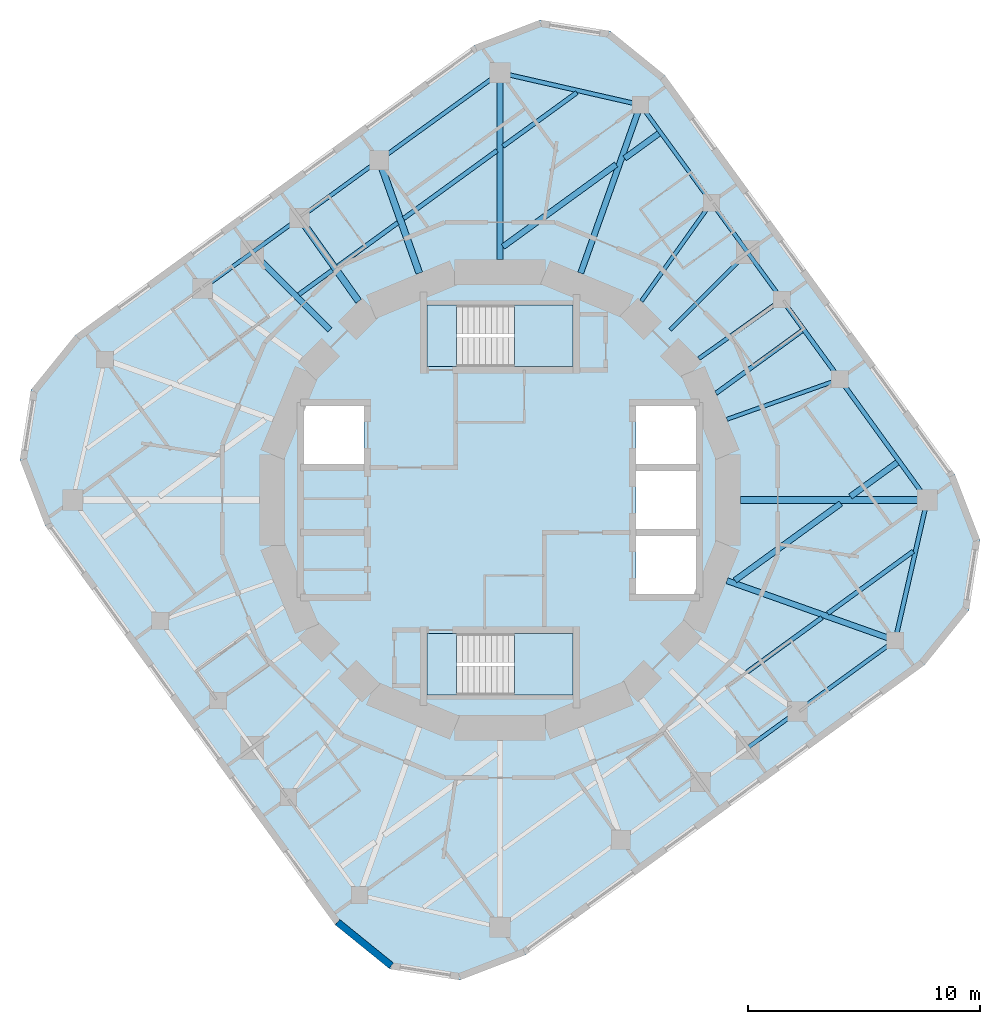
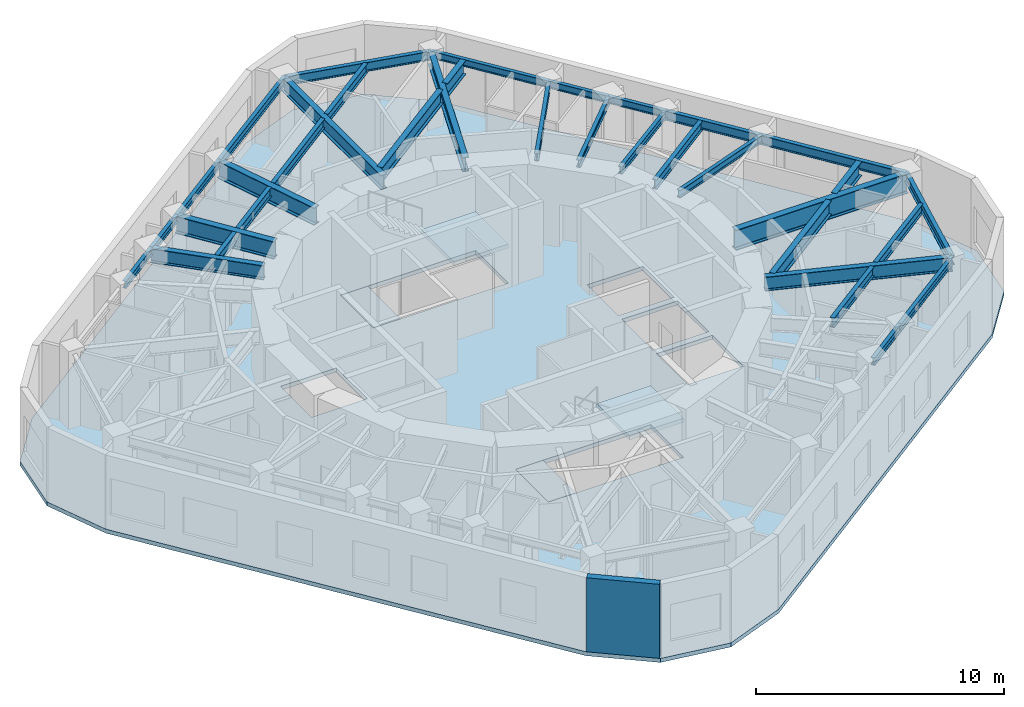
# One storey, part 2 of 9: 35 beams, 5 slabs, 1 wall, 2 elements without a shape of their own.
"""IFC4 building model written with IfcOpenShell, lengths in metres."""

import ifcopenshell
import ifcopenshell.guid

model = None  # the IFC model being written
_history = None  # IfcOwnerHistory: only IFC2X3 demands one
_inside = {}  # id of a spatial element -> (the spatial element, [elements in it])
_under = {}  # id of a project, library or spatial element -> (it, [spatial elements below it])
_declared = {}  # id of a project -> (the project, [libraries it declares])
_typed = {}  # id of a type object -> (the type object, [elements of that type])
_made_of = {}  # id of a material, layer set ... -> (it, [elements and type objects made of it])


def new_model(schema):
    """Start an empty IFC model of exactly this schema.

    Asked for "IFC4X3", IfcOpenShell would pick the latest addendum, in which some entities
    have other attributes; the version numbers below select the first issue.
    IFC2X3 requires an IfcOwnerHistory on every rooted entity: one is made here for all.
    """
    global model, _history
    if schema == "IFC4X3":
        model = ifcopenshell.file(schema_version=(4, 3, 0, 0))
    else:
        model = ifcopenshell.file(schema=schema)
    _inside.clear()
    _under.clear()
    _declared.clear()
    _typed.clear()
    _made_of.clear()
    _history = None
    if model.schema == "IFC2X3":
        org = make("IfcOrganization", Name="unknown")
        user = make(
            "IfcPersonAndOrganization",
            ThePerson=make("IfcPerson", FamilyName="unknown"),
            TheOrganization=org,
        )
        app = make(
            "IfcApplication",
            ApplicationDeveloper=org,
            Version="unknown",
            ApplicationFullName="unknown",
            ApplicationIdentifier="unknown",
        )
        _history = make(
            "IfcOwnerHistory",
            OwningUser=user,
            OwningApplication=app,
            ChangeAction="ADDED",
            CreationDate=0,
        )
    return model


def make(cls, **values):
    """One entity of the class cls with the attributes given. An attribute that is None is left unset."""
    return model.create_entity(
        cls, **{name: value for name, value in values.items() if value is not None}
    )


def rooted(cls, **values):
    """An entity with a GlobalId (a new one), such as an element, a storey or a relation."""
    return make(cls, GlobalId=ifcopenshell.guid.new(), OwnerHistory=_history, **values)


def si_unit(unit_type, name, prefix=None):
    """IfcSIUnit, for example si_unit("LENGTHUNIT", "METRE", prefix="MILLI")."""
    return make("IfcSIUnit", UnitType=unit_type, Prefix=prefix, Name=name)


def assignment(units):
    """IfcUnitAssignment: the units of a project."""
    return None if units is None else make("IfcUnitAssignment", Units=units)


def point(xyz):
    """IfcCartesianPoint."""
    return None if xyz is None else make("IfcCartesianPoint", Coordinates=xyz)


def direction(xyz):
    """IfcDirection."""
    return None if xyz is None else make("IfcDirection", DirectionRatios=xyz)


def frame(location, z_axis=None, x_axis=None):
    """IfcAxis2Placement3D, a coordinate frame: its origin and axes. An axis left out is left unset."""
    return make(
        "IfcAxis2Placement3D",
        Location=point(location),
        Axis=direction(z_axis),
        RefDirection=direction(x_axis),
    )


def frame_2d(location, x_axis=None):
    """IfcAxis2Placement2D, a coordinate frame in the plane: its origin and x axis."""
    return make(
        "IfcAxis2Placement2D", Location=point(location), RefDirection=direction(x_axis)
    )


def origin():
    """The frame at (0, 0, 0) with its axes left unset."""
    return frame((0.0, 0.0, 0.0))


def origin_2d():
    """The frame at (0, 0) in the plane with its x axis left unset."""
    return frame_2d((0.0, 0.0))


def place(relative_to, where):
    """IfcLocalPlacement: puts the frame where relative to a parent placement (None: the world)."""
    return make(
        "IfcLocalPlacement", PlacementRelTo=relative_to, RelativePlacement=where
    )


def context(
    kind, dimensions, precision=None, world=None, true_north=None, identifier=None
):
    """IfcGeometricRepresentationContext, for example the 3D "Model" context."""
    return make(
        "IfcGeometricRepresentationContext",
        ContextIdentifier=identifier,
        ContextType=kind,
        CoordinateSpaceDimension=dimensions,
        Precision=precision,
        WorldCoordinateSystem=world,
        TrueNorth=true_north,
    )


def subcontext(parent, identifier, kind, view, scale=None):
    """IfcGeometricRepresentationSubContext, for example "Body" below "Model"."""
    return make(
        "IfcGeometricRepresentationSubContext",
        ContextIdentifier=identifier,
        ContextType=kind,
        ParentContext=parent,
        TargetScale=scale,
        TargetView=view,
    )


def project(units=None, contexts=None):
    """IfcProject with its units and contexts."""
    return rooted(
        "IfcProject",
        Name="project",
        RepresentationContexts=contexts,
        UnitsInContext=assignment(units),
    )


def spatial(cls, under=None, at=None, **own):
    """A site, building, storey or space (cls), placed at a placement, below another one or the project."""
    s = rooted(cls, ObjectPlacement=at, **own)
    if under is not None:
        _under.setdefault(under.id(), (under, []))[1].append(s)
    return s


def polyline(points):
    """IfcPolyline through the points."""
    return make("IfcPolyline", Points=[point(p) for p in points])


def profile(cls, at=None, kind="AREA", **sizes):
    """A parametric profile (cls). Its sizes go by their IFC names, for example OverallWidth=200.0."""
    return make(cls, ProfileType=kind, Position=at, **sizes)


def rectangle(**sizes):
    """IfcRectangleProfileDef."""
    return profile("IfcRectangleProfileDef", **sizes)


def i_section(**sizes):
    """IfcIShapeProfileDef."""
    return profile("IfcIShapeProfileDef", **sizes)


def outline(outer, holes=None, kind="AREA"):
    """IfcArbitraryClosedProfileDef: a profile drawn as a closed curve; with holes, ...WithVoids."""
    if holes is None:
        return make("IfcArbitraryClosedProfileDef", ProfileType=kind, OuterCurve=outer)
    return make(
        "IfcArbitraryProfileDefWithVoids",
        ProfileType=kind,
        OuterCurve=outer,
        InnerCurves=holes,
    )


def extrude(swept, where, along, depth):
    """IfcExtrudedAreaSolid: the profile swept, set in the frame where, extruded along a direction by depth."""
    return make(
        "IfcExtrudedAreaSolid",
        SweptArea=swept,
        Position=where,
        ExtrudedDirection=direction(along),
        Depth=depth,
    )


def shape(context_of_items, identifier, shape_type, items):
    """IfcShapeRepresentation: the items that make up one representation, for example the "Body"."""
    return make(
        "IfcShapeRepresentation",
        ContextOfItems=context_of_items,
        RepresentationIdentifier=identifier,
        RepresentationType=shape_type,
        Items=items,
    )


def material(Name=None, Category=None):
    """IfcMaterial."""
    return make("IfcMaterial", Name=Name, Category=Category)


def layer(
    of_material, thickness, ventilated=None, Name=None, Category=None, Priority=None
):
    """IfcMaterialLayer: one layer of a wall or slab, of a material (None: an air gap)."""
    return make(
        "IfcMaterialLayer",
        Material=of_material,
        LayerThickness=thickness,
        IsVentilated=ventilated,
        Name=Name,
        Category=Category,
        Priority=Priority,
    )


def layer_set(layers, Name=None):
    """IfcMaterialLayerSet."""
    return make("IfcMaterialLayerSet", MaterialLayers=layers, LayerSetName=Name)


def material_profile(
    of_material, cross_section, Name=None, Category=None, Priority=None
):
    """IfcMaterialProfile: a cross section and its material."""
    return make(
        "IfcMaterialProfile",
        Name=Name,
        Material=of_material,
        Profile=cross_section,
        Priority=Priority,
        Category=Category,
    )


def profile_set(profiles, Name=None, composite=None):
    """IfcMaterialProfileSet."""
    return make(
        "IfcMaterialProfileSet",
        Name=Name,
        MaterialProfiles=profiles,
        CompositeProfile=composite,
    )


def made_of(thing, what):
    """Note that an element or type object is made of a material, layer set ...; save() writes the relation."""
    if what is not None:
        _made_of.setdefault(what.id(), (what, []))[1].append(thing)
    return thing


def type_object(cls, material=None, **own):
    """A type object (cls), such as IfcWallType, which elements share."""
    return made_of(rooted(cls, **own), material)


def element(
    cls,
    number,
    at=None,
    inside=None,
    cuts=None,
    type_object=None,
    material=None,
    context=None,
    identifier="Body",
    shape_type=None,
    held_by="IfcProductDefinitionShape",
    body=None,
    shapes=None,
    **own,
):
    """One element of the class cls, such as IfcWall. Its Tag is "e" and its number.

    at: its placement. inside: the storey or other place that contains it. cuts: it is an
    opening in that element (IfcRelVoidsElement). A single representation is given by context,
    identifier, shape_type and body (its items); several are given by shapes. held_by: the class
    of the entity that holds the representations. save() writes the other relations.
    """
    e = rooted(cls, Tag="e%d" % number, ObjectPlacement=at, **own)
    if body is not None:
        shapes = [shape(context, identifier, shape_type, body)]
    if shapes is not None:
        e.Representation = make(held_by, Representations=shapes)
    if inside is not None:
        _inside.setdefault(inside.id(), (inside, []))[1].append(e)
    if cuts is not None:
        rooted(
            "IfcRelVoidsElement", RelatingBuildingElement=cuts, RelatedOpeningElement=e
        )
    if type_object is not None:
        _typed.setdefault(type_object.id(), (type_object, []))[1].append(e)
    return made_of(e, material)


def aggregate(whole, parts):
    """IfcRelAggregates: a whole, such as a stair, and the parts it consists of."""
    return rooted("IfcRelAggregates", RelatingObject=whole, RelatedObjects=parts)


def save(model, path):
    """Write the relations noted so far, then the file.

    IfcRelAggregates (storeys below a building ...), IfcRelContainedInSpatialStructure (elements
    in a storey), IfcRelDefinesByType, IfcRelAssociatesMaterial and IfcRelDeclares: one each for
    every whole, place, type object, material and project.
    """
    for whole, parts in _under.values():
        aggregate(whole, parts)
    for where, things in _inside.values():
        rooted(
            "IfcRelContainedInSpatialStructure",
            RelatedElements=things,
            RelatingStructure=where,
        )
    for kind, things in _typed.values():
        rooted("IfcRelDefinesByType", RelatedObjects=things, RelatingType=kind)
    for what, things in _made_of.values():
        rooted("IfcRelAssociatesMaterial", RelatedObjects=things, RelatingMaterial=what)
    for by, libraries in _declared.values():
        rooted("IfcRelDeclares", RelatingContext=by, RelatedDefinitions=libraries)
    model.write(path)


model = new_model("IFC4")

# Units and contexts
model_context = context("Model", 3, precision=1e-05, world=origin(), true_north=direction((0.0, 1.0)))
body_context = subcontext(model_context, "Body", "Model", "MODEL_VIEW")
ifc_project = project(units=[si_unit("LENGTHUNIT", "METRE"), si_unit("AREAUNIT", "SQUARE_METRE"), si_unit("VOLUMEUNIT", "CUBIC_METRE"), si_unit("PLANEANGLEUNIT", "RADIAN"), si_unit("MASSUNIT", "GRAM", prefix="KILO")], contexts=[model_context])

# Site, building, storey
site_placement = place(None, origin())
site = spatial("IfcSite", under=ifc_project, at=site_placement, CompositionType="ELEMENT")
building_placement = place(site_placement, origin())
building = spatial("IfcBuilding", under=site, at=building_placement, Name="Nakasero Lantern House", CompositionType="ELEMENT")
storey_placement = place(building_placement, frame((0.0, 0.0, 286.85009765625)))
storey = spatial("IfcBuildingStorey", under=building, at=storey_placement, Name="L70", CompositionType="ELEMENT", Elevation=286.85009765625)

# Beams
ifc_material_1 = material(Name="Steel S355", Category="steel")
ifc_material_profile_1 = material_profile(ifc_material_1, i_section(OverallWidth=0.19140625, OverallDepth=0.4599609375, WebThickness=0.010009765625, FlangeThickness=0.01611328125, FilletRadius=0.01025390625, at=origin_2d()), Name="UB 457x191x82")
ifc_profile_set_1 = profile_set([ifc_material_profile_1], Name="Steel S355")
beam_type_1 = type_object("IfcBeamType", Name="Infill beam UB 457x191x82", PredefinedType="JOIST", material=ifc_profile_set_1)
beam_1_placement = place(storey_placement, frame((10.6416015625, -7.410400390625, 3.419921875), z_axis=(0.809000670398, 0.587807719663, 0.0), x_axis=(-0.587807719663, 0.809000670398, 0.0)))
element("IfcBeam", 1, at=beam_1_placement, inside=storey, type_object=beam_type_1, Name="Infill beam L71 03.6", PredefinedType="JOIST", context=body_context, shape_type="SweptSolid", body=[
    extrude(i_section(OverallWidth=0.19140625, OverallDepth=0.4599609375, WebThickness=0.010009765625, FlangeThickness=0.01611328125, FilletRadius=0.01025390625, at=origin_2d()), origin(), (0.0, 0.0, 1.0), 3.989013671875),
])
beam_2_placement = place(storey_placement, frame((14.117431640625, -4.885009765625, 3.419921875), z_axis=(0.80901210161, 0.587791986546, 0.0), x_axis=(-0.587791986546, 0.80901210161, 0.0)))
element("IfcBeam", 2, at=beam_2_placement, inside=storey, type_object=beam_type_1, Name="Infill beam L71 03.7", PredefinedType="JOIST", context=body_context, shape_type="SweptSolid", body=[
    extrude(i_section(OverallWidth=0.19140625, OverallDepth=0.4599609375, WebThickness=0.010009765625, FlangeThickness=0.01611328125, FilletRadius=0.01025390625, at=origin_2d()), origin(), (0.0, 0.0, 1.0), 4.55029296875),
])
beam_3_placement = place(storey_placement, frame((9.306396484375, 4.598388671875, 3.419921875), z_axis=(0.809017640959, 0.587784362344, 0.0), x_axis=(-0.587784362344, 0.809017640959, 0.0)))
element("IfcBeam", 3, at=beam_3_placement, inside=storey, type_object=beam_type_1, Name="Infill beam L71 06.1", PredefinedType="JOIST", context=body_context, shape_type="SweptSolid", body=[
    extrude(i_section(OverallWidth=0.19140625, OverallDepth=0.4599609375, WebThickness=0.010009765625, FlangeThickness=0.01611328125, FilletRadius=0.01025390625, at=origin_2d()), origin(), (0.0, 0.0, 1.0), 4.572998046875),
])
beam_4_placement = place(storey_placement, frame((-8.665283203125, 8.84619140625, 3.419921875), z_axis=(0.809060510352, 0.587725353025, 0.0), x_axis=(-0.587725353025, 0.809060510352, 0.0)))
element("IfcBeam", 4, at=beam_4_placement, inside=storey, type_object=beam_type_1, Name="Infill beam L71 10.4", PredefinedType="JOIST", context=body_context, shape_type="SweptSolid", body=[
    extrude(i_section(OverallWidth=0.19140625, OverallDepth=0.4599609375, WebThickness=0.010009765625, FlangeThickness=0.01611328125, FilletRadius=0.01025390625, at=origin_2d()), origin(), (0.0, 0.0, 1.0), 1.7890625),
])
beam_5_placement = place(storey_placement, frame((-6.981201171875, 10.069580078125, 3.419921875), z_axis=(0.809014147131, 0.587789171167, 0.0), x_axis=(-0.587789171167, 0.809014147131, 0.0)))
element("IfcBeam", 5, at=beam_5_placement, inside=storey, type_object=beam_type_1, Name="Infill beam L71 10.5", PredefinedType="JOIST", context=body_context, shape_type="SweptSolid", body=[
    extrude(i_section(OverallWidth=0.19140625, OverallDepth=0.4599609375, WebThickness=0.010009765625, FlangeThickness=0.01611328125, FilletRadius=0.01025390625, at=origin_2d()), origin(), (0.0, 0.0, 1.0), 3.188232421875),
])
beam_6_placement = place(storey_placement, frame((-4.1552734375, 12.122802734375, 3.419921875), z_axis=(0.809018056479, 0.587783790428, 0.0), x_axis=(-0.587783790428, 0.809018056479, 0.0)))
element("IfcBeam", 6, at=beam_6_placement, inside=storey, type_object=beam_type_1, Name="Infill beam L71 10.6", PredefinedType="JOIST", context=body_context, shape_type="SweptSolid", body=[
    extrude(i_section(OverallWidth=0.19140625, OverallDepth=0.4599609375, WebThickness=0.010009765625, FlangeThickness=0.01611328125, FilletRadius=0.01025390625, at=origin_2d()), origin(), (0.0, 0.0, 1.0), 4.97802734375),
])
beam_7_placement = place(storey_placement, frame((0.1279296875, 15.23486328125, 3.419921875), z_axis=(0.809028442836, 0.587769494515, 0.0), x_axis=(-0.587769494515, 0.809028442836, 0.0)))
element("IfcBeam", 7, at=beam_7_placement, inside=storey, type_object=beam_type_1, Name="Infill beam L71 10.7", PredefinedType="JOIST", context=body_context, shape_type="SweptSolid", body=[
    extrude(i_section(OverallWidth=0.19140625, OverallDepth=0.4599609375, WebThickness=0.010009765625, FlangeThickness=0.01611328125, FilletRadius=0.01025390625, at=origin_2d()), origin(), (0.0, 0.0, 1.0), 3.934814453125),
])
ifc_material_2 = material(Name="Steel S355", Category="steel")
ifc_material_profile_2 = material_profile(ifc_material_2, i_section(OverallWidth=0.255859375, OverallDepth=0.69287109375, WebThickness=0.014404296875, FlangeThickness=0.023681640625, FilletRadius=0.01513671875, at=origin_2d()), Name="UB 686x254x170")
ifc_profile_set_2 = profile_set([ifc_material_profile_2], Name="Steel S355")
beam_type_2 = type_object("IfcBeamType", Name="Infill beam UB 686x254x170", PredefinedType="JOIST", material=ifc_profile_set_2)
beam_8_placement = place(storey_placement, frame((10.119384765625, -3.46337890625, 3.303466796875), z_axis=(0.809013172462, 0.587790512669, 0.0), x_axis=(-0.587790512669, 0.809013172462, 0.0)))
element("IfcBeam", 8, at=beam_8_placement, inside=storey, type_object=beam_type_2, Name="Infill beam L71 04.3", PredefinedType="JOIST", context=body_context, shape_type="SweptSolid", body=[
    extrude(i_section(OverallWidth=0.255859375, OverallDepth=0.69287109375, WebThickness=0.014404296875, FlangeThickness=0.023681640625, FilletRadius=0.01513671875, at=origin_2d()), origin(), (0.0, 0.0, 1.0), 5.63720703125),
])
beam_9_placement = place(storey_placement, frame((15.0927734375, 0.14990234375, 3.303466796875), z_axis=(0.809015124384, 0.587787826106, 0.0), x_axis=(-0.587787826106, 0.809015124384, 0.0)))
element("IfcBeam", 9, at=beam_9_placement, inside=storey, type_object=beam_type_2, Name="Infill beam L71 04.4", PredefinedType="JOIST", context=body_context, shape_type="SweptSolid", body=[
    extrude(i_section(OverallWidth=0.255859375, OverallDepth=0.69287109375, WebThickness=0.014404296875, FlangeThickness=0.023681640625, FilletRadius=0.01513671875, at=origin_2d()), origin(), (0.0, 0.0, 1.0), 2.496337890625),
])
beam_10_placement = place(storey_placement, frame((0.1279296875, 10.908447265625, 3.303466796875), z_axis=(0.809011117524, 0.587793340998, 0.0), x_axis=(-0.587793340998, 0.809011117524, 0.0)))
element("IfcBeam", 10, at=beam_10_placement, inside=storey, type_object=beam_type_2, Name="Infill beam L71 09.3", PredefinedType="JOIST", context=body_context, shape_type="SweptSolid", body=[
    extrude(i_section(OverallWidth=0.255859375, OverallDepth=0.69287109375, WebThickness=0.014404296875, FlangeThickness=0.023681640625, FilletRadius=0.01513671875, at=origin_2d()), origin(), (0.0, 0.0, 1.0), 6.024658203125),
])
beam_11_placement = place(storey_placement, frame((5.367919921875, 14.715576171875, 3.303466796875), z_axis=(0.809025740158, 0.587773214566, 0.0), x_axis=(-0.587773214566, 0.809025740158, 0.0)))
element("IfcBeam", 11, at=beam_11_placement, inside=storey, type_object=beam_type_2, Name="Infill beam L71 09.4", PredefinedType="JOIST", context=body_context, shape_type="SweptSolid", body=[
    extrude(i_section(OverallWidth=0.255859375, OverallDepth=0.69287109375, WebThickness=0.014404296875, FlangeThickness=0.023681640625, FilletRadius=0.01513671875, at=origin_2d()), origin(), (0.0, 0.0, 1.0), 1.82177734375),
])
ifc_material_3 = material(Name="Steel S355", Category="steel")
ifc_material_profile_3 = material_profile(ifc_material_3, i_section(OverallWidth=0.300048828125, OverallDepth=0.97998046875, WebThickness=0.0166015625, FlangeThickness=0.02587890625, FilletRadius=0.030029296875, at=origin_2d()), Name="UB 1016x305x249")
ifc_profile_set_3 = profile_set([ifc_material_profile_3], Name="Steel S355")
beam_type_3 = type_object("IfcBeamType", Name="Primary beam UB 1016x305x249, span 6 to 9 m", PredefinedType="BEAM", material=ifc_profile_set_3)
beam_12_placement = place(storey_placement, frame((18.39990234375, 0.0, 3.159912109375), z_axis=(-1.0, 0.0, 0.0), x_axis=(0.0, -1.0, 0.0)))
element("IfcBeam", 12, at=beam_12_placement, inside=storey, type_object=beam_type_3, Name="Primary beam L71 B7-C03", PredefinedType="BEAM", context=body_context, shape_type="SweptSolid", body=[
    extrude(i_section(OverallWidth=0.300048828125, OverallDepth=0.97998046875, WebThickness=0.0166015625, FlangeThickness=0.02587890625, FilletRadius=0.030029296875, at=origin_2d()), origin(), (0.0, 0.0, 1.0), 8.0419921875),
])
ifc_material_4 = material(Name="Steel S355", Category="steel")
ifc_material_profile_4 = material_profile(ifc_material_4, i_section(OverallWidth=0.17138671875, OverallDepth=0.35498046875, WebThickness=0.00732421875, FlangeThickness=0.011474609375, FilletRadius=0.01025390625, at=origin_2d()), Name="UB 356x171x51")
ifc_profile_set_4 = profile_set([ifc_material_profile_4], Name="Steel S355")
beam_type_4 = type_object("IfcBeamType", Name="Primary beam UB 356x171x51, span to 6 m", PredefinedType="BEAM", material=ifc_profile_set_4)
beam_13_placement = place(storey_placement, frame((14.636474609375, 5.2041015625, 3.472412109375), z_axis=(-0.942221324153, -0.3349910093, 0.0), x_axis=(0.3349910093, -0.942221324153, 0.0)))
element("IfcBeam", 13, at=beam_13_placement, inside=storey, type_object=beam_type_4, Name="Primary beam L71 B7-C04", PredefinedType="BEAM", context=body_context, shape_type="SweptSolid", body=[
    extrude(i_section(OverallWidth=0.17138671875, OverallDepth=0.35498046875, WebThickness=0.00732421875, FlangeThickness=0.011474609375, FilletRadius=0.01025390625, at=origin_2d()), origin(), (0.0, 0.0, 1.0), 5.162841796875),
])
beam_14_placement = place(storey_placement, frame((12.1435546875, 8.63525390625, 3.472412109375), z_axis=(-0.814988544116, -0.579477068537, 0.0), x_axis=(0.579477068537, -0.814988544116, 0.0)))
element("IfcBeam", 14, at=beam_14_placement, inside=storey, type_object=beam_type_4, Name="Primary beam L71 B7-C05", PredefinedType="BEAM", context=body_context, shape_type="SweptSolid", body=[
    extrude(i_section(OverallWidth=0.17138671875, OverallDepth=0.35498046875, WebThickness=0.00732421875, FlangeThickness=0.011474609375, FilletRadius=0.01025390625, at=origin_2d()), origin(), (0.0, 0.0, 1.0), 4.396484375),
])
beam_15_placement = place(storey_placement, frame((10.667236328125, 10.667236328125, 3.472412109375), z_axis=(-0.707106781187, -0.707106781187, 0.0), x_axis=(0.707106781187, -0.707106781187, 0.0)))
element("IfcBeam", 15, at=beam_15_placement, inside=storey, type_object=beam_type_4, Name="Primary beam L71 B7-C06", PredefinedType="BEAM", context=body_context, shape_type="SweptSolid", body=[
    extrude(i_section(OverallWidth=0.17138671875, OverallDepth=0.35498046875, WebThickness=0.00732421875, FlangeThickness=0.011474609375, FilletRadius=0.01025390625, at=origin_2d()), origin(), (0.0, 0.0, 1.0), 4.727783203125),
])
beam_16_placement = place(storey_placement, frame((9.10986328125, 12.810791015625, 3.472412109375), z_axis=(-0.579500985986, -0.814971537688, 0.0), x_axis=(0.814971537688, -0.579500985986, 0.0)))
element("IfcBeam", 16, at=beam_16_placement, inside=storey, type_object=beam_type_4, Name="Primary beam L71 B7-C07", PredefinedType="BEAM", context=body_context, shape_type="SweptSolid", body=[
    extrude(i_section(OverallWidth=0.17138671875, OverallDepth=0.35498046875, WebThickness=0.00732421875, FlangeThickness=0.011474609375, FilletRadius=0.01025390625, at=origin_2d()), origin(), (0.0, 0.0, 1.0), 5.215087890625),
])
ifc_material_5 = material(Name="Steel S355", Category="steel")
ifc_material_profile_5 = material_profile(ifc_material_5, i_section(OverallWidth=0.253662109375, OverallDepth=0.68359375, WebThickness=0.012451171875, FlangeThickness=0.01904296875, FilletRadius=0.01513671875, at=origin_2d()), Name="UB 686x254x140")
ifc_profile_set_5 = profile_set([ifc_material_profile_5], Name="Steel S355")
beam_type_5 = type_object("IfcBeamType", Name="Primary beam UB 686x254x140, span 6 to 9 m", PredefinedType="BEAM", material=ifc_profile_set_5)
beam_17_placement = place(storey_placement, frame((17.02001953125, -6.051513671875, 3.30810546875), z_axis=(-0.942222036561, 0.334989005521, 0.0), x_axis=(-0.334989005521, -0.942222036561, 0.0)))
element("IfcBeam", 17, at=beam_17_placement, inside=storey, type_object=beam_type_5, Name="Primary beam L71 B7-C02", PredefinedType="BEAM", context=body_context, shape_type="SweptSolid", body=[
    extrude(i_section(OverallWidth=0.253662109375, OverallDepth=0.68359375, WebThickness=0.012451171875, FlangeThickness=0.01904296875, FilletRadius=0.01513671875, at=origin_2d()), origin(), (0.0, 0.0, 1.0), 7.6923828125),
])
ifc_material_6 = material(Name="Steel S355", Category="steel")
ifc_material_profile_6 = material_profile(ifc_material_6, i_section(OverallWidth=0.255859375, OverallDepth=0.69287109375, WebThickness=0.014404296875, FlangeThickness=0.023681640625, FilletRadius=0.01513671875, at=origin_2d()), Name="UB 686x254x170")
ifc_profile_set_6 = profile_set([ifc_material_profile_6], Name="Steel S355")
beam_type_6 = type_object("IfcBeamType", Name="Primary beam UB 686x254x170, span 6 to 9 m", PredefinedType="BEAM", material=ifc_profile_set_6)
beam_18_placement = place(storey_placement, frame((6.051513671875, 17.02001953125, 3.303466796875), z_axis=(-0.334989005521, -0.942222036561, 0.0), x_axis=(0.942222036561, -0.334989005521, 0.0)))
element("IfcBeam", 18, at=beam_18_placement, inside=storey, type_object=beam_type_6, Name="Primary beam L71 B7-C08", PredefinedType="BEAM", context=body_context, shape_type="SweptSolid", body=[
    extrude(i_section(OverallWidth=0.255859375, OverallDepth=0.69287109375, WebThickness=0.014404296875, FlangeThickness=0.023681640625, FilletRadius=0.01513671875, at=origin_2d()), origin(), (0.0, 0.0, 1.0), 7.6923828125),
])
beam_19_placement = place(storey_placement, frame((0.0, 18.39990234375, 3.303466796875), z_axis=(0.0, -1.0, 0.0), x_axis=(1.0, 0.0, 0.0)))
element("IfcBeam", 19, at=beam_19_placement, inside=storey, type_object=beam_type_6, Name="Primary beam L71 B7-C09", PredefinedType="BEAM", context=body_context, shape_type="SweptSolid", body=[
    extrude(i_section(OverallWidth=0.255859375, OverallDepth=0.69287109375, WebThickness=0.014404296875, FlangeThickness=0.023681640625, FilletRadius=0.01513671875, at=origin_2d()), origin(), (0.0, 0.0, 1.0), 8.0419921875),
])
ifc_material_7 = material(Name="Steel S355", Category="steel")
ifc_material_profile_7 = material_profile(ifc_material_7, i_section(OverallWidth=0.255859375, OverallDepth=0.69287109375, WebThickness=0.014404296875, FlangeThickness=0.023681640625, FilletRadius=0.01513671875, at=origin_2d()), Name="UB 686x254x170")
ifc_profile_set_7 = profile_set([ifc_material_profile_7], Name="Steel S355")
beam_type_7 = type_object("IfcBeamType", Name="Primary beam UB 686x254x170, span to 6 m", PredefinedType="BEAM", material=ifc_profile_set_7)
beam_20_placement = place(storey_placement, frame((-10.667236328125, 10.667236328125, 3.303466796875), z_axis=(0.707106781187, -0.707106781187, 0.0), x_axis=(0.707106781187, 0.707106781187, 0.0)))
element("IfcBeam", 20, at=beam_20_placement, inside=storey, type_object=beam_type_7, Name="Primary beam L71 B7-C12", PredefinedType="BEAM", context=body_context, shape_type="SweptSolid", body=[
    extrude(i_section(OverallWidth=0.255859375, OverallDepth=0.69287109375, WebThickness=0.014404296875, FlangeThickness=0.023681640625, FilletRadius=0.01513671875, at=origin_2d()), origin(), (0.0, 0.0, 1.0), 4.727783203125),
])
ifc_material_8 = material(Name="Steel S355", Category="steel")
ifc_material_profile_8 = material_profile(ifc_material_8, i_section(OverallWidth=0.29248046875, OverallDepth=0.8408203125, WebThickness=0.0146484375, FlangeThickness=0.02685546875, FilletRadius=0.017822265625, at=origin_2d()), Name="UB 838x292x194")
ifc_profile_set_8 = profile_set([ifc_material_profile_8], Name="Steel S355")
beam_type_8 = type_object("IfcBeamType", Name="Primary beam UB 838x292x194, span to 6 m", PredefinedType="BEAM", material=ifc_profile_set_8)
beam_21_placement = place(storey_placement, frame((-5.2041015625, 14.636474609375, 3.2294921875), z_axis=(0.3349910093, -0.942221324153, 0.0), x_axis=(0.942221324153, 0.3349910093, 0.0)))
element("IfcBeam", 21, at=beam_21_placement, inside=storey, type_object=beam_type_8, Name="Primary beam L71 B7-C10", PredefinedType="BEAM", context=body_context, shape_type="SweptSolid", body=[
    extrude(i_section(OverallWidth=0.29248046875, OverallDepth=0.8408203125, WebThickness=0.0146484375, FlangeThickness=0.02685546875, FilletRadius=0.017822265625, at=origin_2d()), origin(), (0.0, 0.0, 1.0), 5.162841796875),
])
beam_22_placement = place(storey_placement, frame((-8.63525390625, 12.1435546875, 3.2294921875), z_axis=(0.579477068537, -0.814988544116, 0.0), x_axis=(0.814988544116, 0.579477068537, 0.0)))
element("IfcBeam", 22, at=beam_22_placement, inside=storey, type_object=beam_type_8, Name="Primary beam L71 B7-C11", PredefinedType="BEAM", context=body_context, shape_type="SweptSolid", body=[
    extrude(i_section(OverallWidth=0.29248046875, OverallDepth=0.8408203125, WebThickness=0.0146484375, FlangeThickness=0.02685546875, FilletRadius=0.017822265625, at=origin_2d()), origin(), (0.0, 0.0, 1.0), 4.396484375),
])
ifc_material_9 = material(Name="Steel S355", Category="steel")
ifc_material_profile_9 = material_profile(ifc_material_9, i_section(OverallWidth=0.17138671875, OverallDepth=0.35498046875, WebThickness=0.00732421875, FlangeThickness=0.011474609375, FilletRadius=0.01025390625, at=origin_2d()), Name="UB 356x171x51")
ifc_profile_set_9 = profile_set([ifc_material_profile_9], Name="Steel S355")
beam_type_9 = type_object("IfcBeamType", Name="Ring beam UB 356x171x51", PredefinedType="BEAM", material=ifc_profile_set_9)
beam_23_placement = place(storey_placement, frame((12.810791015625, -9.10986328125, 3.472412109375), z_axis=(0.809001814948, 0.587806144414, 0.0), x_axis=(-0.587806144414, 0.809001814948, 0.0)))
element("IfcBeam", 23, at=beam_23_placement, inside=storey, type_object=beam_type_9, Name="Ring beam L71 B7-C01", PredefinedType="BEAM", context=body_context, shape_type="SweptSolid", body=[
    extrude(i_section(OverallWidth=0.17138671875, OverallDepth=0.35498046875, WebThickness=0.00732421875, FlangeThickness=0.011474609375, FilletRadius=0.01025390625, at=origin_2d()), origin(), (0.0, 0.0, 1.0), 5.202880859375),
])
beam_24_placement = place(storey_placement, frame((12.1435546875, 8.63525390625, 3.472412109375), z_axis=(-0.58778439593, 0.809017616558, 0.0), x_axis=(-0.809017616558, -0.58778439593, 0.0)))
element("IfcBeam", 24, at=beam_24_placement, inside=storey, type_object=beam_type_9, Name="Ring beam L71 B7-C05", PredefinedType="BEAM", context=body_context, shape_type="SweptSolid", body=[
    extrude(i_section(OverallWidth=0.17138671875, OverallDepth=0.35498046875, WebThickness=0.00732421875, FlangeThickness=0.011474609375, FilletRadius=0.01025390625, at=origin_2d()), origin(), (0.0, 0.0, 1.0), 2.51171875),
])
beam_25_placement = place(storey_placement, frame((10.667236328125, 10.667236328125, 3.472412109375), z_axis=(-0.587782635143, 0.809018895839, 0.0), x_axis=(-0.809018895839, -0.587782635143, 0.0)))
element("IfcBeam", 25, at=beam_25_placement, inside=storey, type_object=beam_type_9, Name="Ring beam L71 B7-C06", PredefinedType="BEAM", context=body_context, shape_type="SweptSolid", body=[
    extrude(i_section(OverallWidth=0.17138671875, OverallDepth=0.35498046875, WebThickness=0.00732421875, FlangeThickness=0.011474609375, FilletRadius=0.01025390625, at=origin_2d()), origin(), (0.0, 0.0, 1.0), 2.649658203125),
])
beam_26_placement = place(storey_placement, frame((9.10986328125, 12.810791015625, 3.472412109375), z_axis=(-0.587806144414, 0.809001814948, 0.0), x_axis=(-0.809001814948, -0.587806144414, 0.0)))
element("IfcBeam", 26, at=beam_26_placement, inside=storey, type_object=beam_type_9, Name="Ring beam L71 B7-C07", PredefinedType="BEAM", context=body_context, shape_type="SweptSolid", body=[
    extrude(i_section(OverallWidth=0.17138671875, OverallDepth=0.35498046875, WebThickness=0.00732421875, FlangeThickness=0.011474609375, FilletRadius=0.01025390625, at=origin_2d()), origin(), (0.0, 0.0, 1.0), 5.202880859375),
])
beam_27_placement = place(storey_placement, frame((-5.2041015625, 14.636474609375, 3.472412109375), z_axis=(-0.809012304944, -0.587791706687, 0.0), x_axis=(0.587791706687, -0.809012304944, 0.0)))
element("IfcBeam", 27, at=beam_27_placement, inside=storey, type_object=beam_type_9, Name="Ring beam L71 B7-C10", PredefinedType="BEAM", context=body_context, shape_type="SweptSolid", body=[
    extrude(i_section(OverallWidth=0.17138671875, OverallDepth=0.35498046875, WebThickness=0.00732421875, FlangeThickness=0.011474609375, FilletRadius=0.01025390625, at=origin_2d()), origin(), (0.0, 0.0, 1.0), 4.2412109375),
])
beam_28_placement = place(storey_placement, frame((-8.63525390625, 12.1435546875, 3.472412109375), z_axis=(-0.809017616558, -0.58778439593, 0.0), x_axis=(0.58778439593, -0.809017616558, 0.0)))
element("IfcBeam", 28, at=beam_28_placement, inside=storey, type_object=beam_type_9, Name="Ring beam L71 B7-C11", PredefinedType="BEAM", context=body_context, shape_type="SweptSolid", body=[
    extrude(i_section(OverallWidth=0.17138671875, OverallDepth=0.35498046875, WebThickness=0.00732421875, FlangeThickness=0.011474609375, FilletRadius=0.01025390625, at=origin_2d()), origin(), (0.0, 0.0, 1.0), 2.51171875),
])
for number, where, z_axis, x_axis, name in (
    (29, (-10.667236328125, 10.667236328125, 3.472412109375), (-0.809018895839, -0.587782635143, 0.0), (0.587782635143, -0.809018895839, 0.0), "Ring beam L71 B7-C12"),
    (30, (10.667236328125, -10.667236328125, 3.472412109375), (0.809018895839, 0.587782635143, 0.0), (-0.587782635143, 0.809018895839, 0.0), "Ring beam L71 B7-C24"),
):
    element("IfcBeam", number, at=place(storey_placement, frame(where, z_axis=z_axis, x_axis=x_axis)), inside=storey, type_object=beam_type_9, Name=name, PredefinedType="BEAM", context=body_context, shape_type="SweptSolid", body=[
        extrude(i_section(OverallWidth=0.17138671875, OverallDepth=0.35498046875, WebThickness=0.00732421875, FlangeThickness=0.011474609375, FilletRadius=0.01025390625, at=origin_2d()), origin(), (0.0, 0.0, 1.0), 2.649658203125),
    ])
ifc_material_10 = material(Name="Steel S355", Category="steel")
ifc_material_profile_10 = material_profile(ifc_material_10, i_section(OverallWidth=0.177978515625, OverallDepth=0.406494140625, WebThickness=0.0078125, FlangeThickness=0.0126953125, FilletRadius=0.01025390625, at=origin_2d()), Name="UB 406x178x60")
ifc_profile_set_10 = profile_set([ifc_material_profile_10], Name="Steel S355")
beam_type_10 = type_object("IfcBeamType", Name="Ring beam UB 406x178x60", PredefinedType="BEAM", material=ifc_profile_set_10)
beam_29_placement = place(storey_placement, frame((0.0, 18.39990234375, 3.44677734375), z_axis=(-0.810316200404, -0.58599287996, 0.0), x_axis=(0.58599287996, -0.810316200404, 0.0)))
element("IfcBeam", 31, at=beam_29_placement, inside=storey, type_object=beam_type_10, Name="Ring beam L71 B7-C09", PredefinedType="BEAM", context=body_context, shape_type="SweptSolid", body=[
    extrude(i_section(OverallWidth=0.177978515625, OverallDepth=0.406494140625, WebThickness=0.0078125, FlangeThickness=0.0126953125, FilletRadius=0.01025390625, at=origin_2d()), origin(), (0.0, 0.0, 1.0), 6.42236328125),
])
ifc_material_11 = material(Name="Steel S355", Category="steel")
ifc_material_profile_11 = material_profile(ifc_material_11, i_section(OverallWidth=0.18994140625, OverallDepth=0.453369140625, WebThickness=0.008544921875, FlangeThickness=0.0126953125, FilletRadius=0.01025390625, at=origin_2d()), Name="UB 457x191x67")
ifc_profile_set_11 = profile_set([ifc_material_profile_11], Name="Steel S355")
beam_type_11 = type_object("IfcBeamType", Name="Ring beam UB 457x191x67", PredefinedType="BEAM", material=ifc_profile_set_11)
beam_30_placement = place(storey_placement, frame((17.02001953125, -6.051513671875, 3.423095703125), z_axis=(0.222316387753, 0.974974575944, 0.0), x_axis=(-0.974974575944, 0.222316387753, 0.0)))
element("IfcBeam", 32, at=beam_30_placement, inside=storey, type_object=beam_type_11, Name="Ring beam L71 B7-C02", PredefinedType="BEAM", context=body_context, shape_type="SweptSolid", body=[
    extrude(i_section(OverallWidth=0.18994140625, OverallDepth=0.453369140625, WebThickness=0.008544921875, FlangeThickness=0.0126953125, FilletRadius=0.01025390625, at=origin_2d()), origin(), (0.0, 0.0, 1.0), 6.206787109375),
])
beam_31_placement = place(storey_placement, frame((14.636474609375, 5.2041015625, 3.423095703125), z_axis=(-0.587791706687, 0.809012304944, 0.0), x_axis=(-0.809012304944, -0.587791706687, 0.0)))
element("IfcBeam", 33, at=beam_31_placement, inside=storey, type_object=beam_type_11, Name="Ring beam L71 B7-C04", PredefinedType="BEAM", context=body_context, shape_type="SweptSolid", body=[
    extrude(i_section(OverallWidth=0.18994140625, OverallDepth=0.453369140625, WebThickness=0.008544921875, FlangeThickness=0.0126953125, FilletRadius=0.01025390625, at=origin_2d()), origin(), (0.0, 0.0, 1.0), 4.2412109375),
])
beam_32_placement = place(storey_placement, frame((6.051513671875, 17.02001953125, 3.423095703125), z_axis=(-0.974974575944, 0.222316387753, 0.0), x_axis=(-0.222316387753, -0.974974575944, 0.0)))
element("IfcBeam", 34, at=beam_32_placement, inside=storey, type_object=beam_type_11, Name="Ring beam L71 B7-C08", PredefinedType="BEAM", context=body_context, shape_type="SweptSolid", body=[
    extrude(i_section(OverallWidth=0.18994140625, OverallDepth=0.453369140625, WebThickness=0.008544921875, FlangeThickness=0.0126953125, FilletRadius=0.01025390625, at=origin_2d()), origin(), (0.0, 0.0, 1.0), 6.206787109375),
])
ifc_material_12 = material(Name="Steel S355", Category="steel")
ifc_material_profile_12 = material_profile(ifc_material_12, i_section(OverallWidth=0.19140625, OverallDepth=0.4599609375, WebThickness=0.010009765625, FlangeThickness=0.01611328125, FilletRadius=0.01025390625, at=origin_2d()), Name="UB 457x191x82")
ifc_profile_set_12 = profile_set([ifc_material_profile_12], Name="Steel S355")
beam_type_12 = type_object("IfcBeamType", Name="Ring beam UB 457x191x82", PredefinedType="BEAM", material=ifc_profile_set_12)
beam_33_placement = place(storey_placement, frame((18.39990234375, 0.0, 3.419921875), z_axis=(-0.58599287996, 0.810316200404, 0.0), x_axis=(-0.810316200404, -0.58599287996, 0.0)))
element("IfcBeam", 35, at=beam_33_placement, inside=storey, type_object=beam_type_12, Name="Ring beam L71 B7-C03", PredefinedType="BEAM", context=body_context, shape_type="SweptSolid", body=[
    extrude(i_section(OverallWidth=0.19140625, OverallDepth=0.4599609375, WebThickness=0.010009765625, FlangeThickness=0.01611328125, FilletRadius=0.01025390625, at=origin_2d()), origin(), (0.0, 0.0, 1.0), 6.42236328125),
])

# Slab
ifc_material_13 = material(Name="Concrete C35/45", Category="concrete")
ifc_layer_1 = layer(ifc_material_13, 0.199951171875)
ifc_layer_set_1 = layer_set([ifc_layer_1], Name="Composite floor slab 200")
slab_type_1 = type_object("IfcSlabType", Name="Composite floor slab 200", PredefinedType="FLOOR", material=ifc_layer_set_1)
slab_1_placement = place(storey_placement, frame((0.0, 0.0, -0.2001953125)))
element("IfcSlab", 36, at=slab_1_placement, inside=storey, type_object=slab_type_1, Name="Floor slab L70", PredefinedType="FLOOR", context=body_context, shape_type="SweptSolid", body=[
    extrude(outline(polyline([(7.1181640625, 18.27392578125), (4.744873046875, 20.196044921875), (1.728271484375, 20.673828125), (-1.122802734375, 19.579345703125), (-18.27392578125, 7.1181640625), (-20.196044921875, 4.744873046875), (-20.673828125, 1.728271484375), (-19.579345703125, -1.122802734375), (-7.1181640625, -18.27392578125), (-4.744873046875, -20.196044921875), (-1.728271484375, -20.673828125), (1.122802734375, -19.579345703125), (18.27392578125, -7.1181640625), (20.196044921875, -4.744873046875), (20.673828125, -1.728271484375), (19.579345703125, 1.122802734375), (7.1181640625, 18.27392578125)]), holes=[polyline([(-8.449951171875, 1.550048828125), (-5.85009765625, 1.550048828125), (-5.85009765625, 4.050048828125), (-8.449951171875, 4.050048828125), (-8.449951171875, 1.550048828125)]), polyline([(5.85009765625, -4.050048828125), (8.449951171875, -4.050048828125), (8.449951171875, -1.550048828125), (5.85009765625, -1.550048828125), (5.85009765625, -4.050048828125)]), polyline([(5.85009765625, -1.25), (8.449951171875, -1.25), (8.449951171875, 1.25), (5.85009765625, 1.25), (5.85009765625, -1.25)]), polyline([(5.85009765625, 1.550048828125), (8.449951171875, 1.550048828125), (8.449951171875, 4.050048828125), (5.85009765625, 4.050048828125), (5.85009765625, 1.550048828125)]), polyline([(-3.14990234375, 5.75), (3.14990234375, 5.75), (3.14990234375, 8.39990234375), (-3.14990234375, 8.39990234375), (-3.14990234375, 5.75)]), polyline([(-3.14990234375, -8.39990234375), (3.14990234375, -8.39990234375), (3.14990234375, -5.75), (-3.14990234375, -5.75), (-3.14990234375, -8.39990234375)])]), origin(), (0.0, 0.0, 1.0), 0.2001953125),
])

# Stair, slabs
ifc_material_14 = material(Name="Concrete C40/50", Category="concrete")
stair_type_1 = type_object("IfcStairType", Name="Escape stair ST1 22 risers", PredefinedType="HALF_TURN_STAIR", material=ifc_material_14)
stair_1_placement = place(storey_placement, origin())
stair_1 = element("IfcStair", 37, at=stair_1_placement, inside=storey, type_object=stair_type_1, Name="Escape stair ST1 L70", PredefinedType="HALF_TURN_STAIR")
ifc_material_15 = material(Name="Concrete C40/50", Category="concrete")
ifc_layer_2 = layer(ifc_material_15, 0.199951171875)
ifc_layer_set_2 = layer_set([ifc_layer_2], Name="Stair landing 200")
slab_type_2 = type_object("IfcSlabType", Name="Stair landing 200", PredefinedType="LANDING", material=ifc_layer_set_2)
slab_2_placement = place(storey_placement, frame((0.0, 0.0, -0.2001953125)))
slab_2 = element("IfcSlab", 38, at=slab_2_placement, type_object=slab_type_2, Name="ST1 landing 1", PredefinedType="LANDING", context=body_context, shape_type="SweptSolid", body=[
    extrude(outline(polyline([(-3.14990234375, 5.75), (-1.875, 5.75), (-1.875, 8.39990234375), (-3.14990234375, 8.39990234375), (-3.14990234375, 5.75)])), origin(), (0.0, 0.0, 1.0), 0.2001953125),
])
slab_3_placement = place(storey_placement, frame((0.0, 0.0, 1.724853515625)))
slab_3 = element("IfcSlab", 39, at=slab_3_placement, type_object=slab_type_2, Name="ST1 landing 2", PredefinedType="LANDING", context=body_context, shape_type="SweptSolid", body=[
    extrude(outline(polyline([(0.625, 5.75), (3.14990234375, 5.75), (3.14990234375, 8.39990234375), (0.625, 8.39990234375), (0.625, 5.75)])), origin(), (0.0, 0.0, 1.0), 0.199951171875),
])
aggregate(stair_1, [slab_2, slab_3])

ifc_material_16 = material(Name="Concrete C40/50", Category="concrete")
stair_type_2 = type_object("IfcStairType", Name="Escape stair ST2 22 risers", PredefinedType="HALF_TURN_STAIR", material=ifc_material_16)
stair_2_placement = place(storey_placement, origin())
stair_2 = element("IfcStair", 40, at=stair_2_placement, inside=storey, type_object=stair_type_2, Name="Escape stair ST2 L70", PredefinedType="HALF_TURN_STAIR")
slab_4_placement = place(storey_placement, frame((0.0, 0.0, -0.2001953125)))
slab_4 = element("IfcSlab", 41, at=slab_4_placement, type_object=slab_type_2, Name="ST2 landing 1", PredefinedType="LANDING", context=body_context, shape_type="SweptSolid", body=[
    extrude(outline(polyline([(-3.14990234375, -8.39990234375), (-1.875, -8.39990234375), (-1.875, -5.75), (-3.14990234375, -5.75), (-3.14990234375, -8.39990234375)])), origin(), (0.0, 0.0, 1.0), 0.2001953125),
])
slab_5_placement = place(storey_placement, frame((0.0, 0.0, 1.724853515625)))
slab_5 = element("IfcSlab", 42, at=slab_5_placement, type_object=slab_type_2, Name="ST2 landing 2", PredefinedType="LANDING", context=body_context, shape_type="SweptSolid", body=[
    extrude(outline(polyline([(0.625, -8.39990234375), (3.14990234375, -8.39990234375), (3.14990234375, -5.75), (0.625, -5.75), (0.625, -8.39990234375)])), origin(), (0.0, 0.0, 1.0), 0.199951171875),
])
aggregate(stair_2, [slab_4, slab_5])

# Wall
ifc_material_17 = material(Name="Aluminium rainscreen on blockwork", Category="masonry")
ifc_layer_3 = layer(ifc_material_17, 0.300048828125)
ifc_layer_set_3 = layer_set([ifc_layer_3], Name="Facade wall 300")
wall_type = type_object("IfcWallType", Name="Facade wall 300", PredefinedType="SOLIDWALL", material=ifc_layer_set_3)
wall_placement = place(storey_placement, frame((-6.996826171875, -18.185791015625, 0.0), z_axis=(0.0, 0.0, 1.0), x_axis=(0.777101588319, -0.629375183362, 0.0)))
element("IfcWall", 43, at=wall_placement, inside=storey, type_object=wall_type, Name="Facade wall L70 FW2C1", PredefinedType="SOLIDWALL", context=body_context, shape_type="SweptSolid", body=[
    extrude(rectangle(XDim=2.976318359375, YDim=0.300048828125, at=frame_2d((1.48828125, 0.0))), origin(), (0.0, 0.0, 1.0), 3.64990234375),
])

save(model, "model.ifc")
